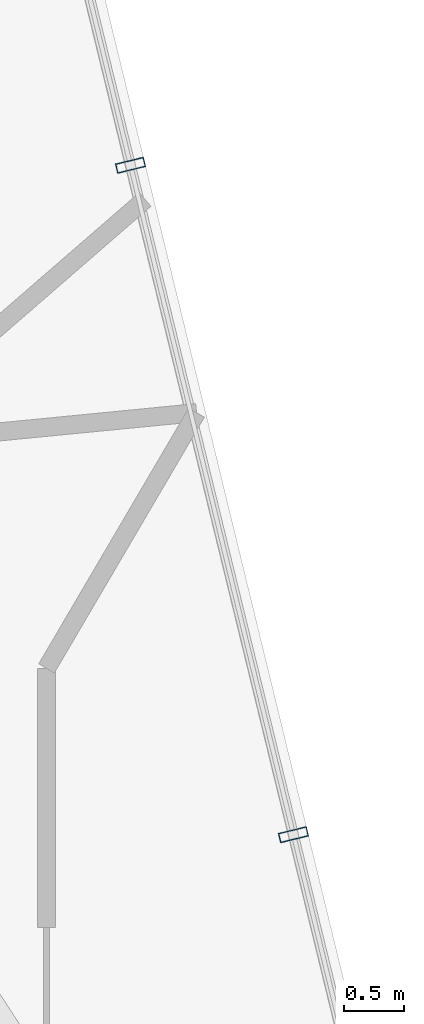
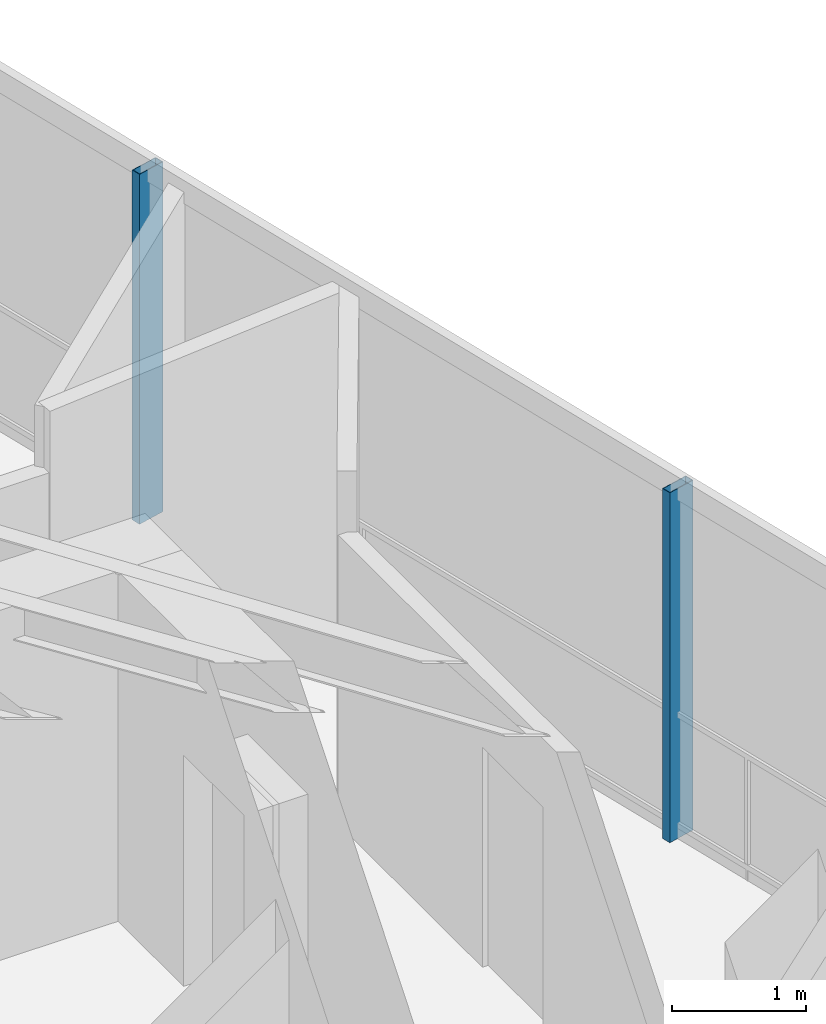
# One storey, part 12 of 19: 2 members, 1 element without a shape of its own.
"""IFC4 building model written with IfcOpenShell, lengths in metres."""

from ifc_helpers import new_model, si_unit, direction, frame, origin, origin_2d, place, context, subcontext, project, spatial, hollow_rectangle, extrude, material, layer, layer_set, material_profile, profile_set, type_object, element, aggregate, save


model = new_model("IFC4")

# Units and contexts
model_context = context("Model", 3, precision=1e-05, world=origin(), true_north=direction((0.0, 1.0)))
body_context = subcontext(model_context, "Body", "Model", "MODEL_VIEW")
ifc_project = project(units=[si_unit("LENGTHUNIT", "METRE"), si_unit("AREAUNIT", "SQUARE_METRE"), si_unit("VOLUMEUNIT", "CUBIC_METRE"), si_unit("PLANEANGLEUNIT", "RADIAN"), si_unit("MASSUNIT", "GRAM", prefix="KILO")], contexts=[model_context])

# Site, building, storey
site_placement = place(None, origin())
site = spatial("IfcSite", under=ifc_project, at=site_placement, CompositionType="ELEMENT")
building_placement = place(site_placement, origin())
building = spatial("IfcBuilding", under=site, at=building_placement, Name="Qarnah Convention Tower", CompositionType="ELEMENT")
storey_placement = place(building_placement, frame((0.0, 0.0, 231.89990234375)))
storey = spatial("IfcBuildingStorey", under=building, at=storey_placement, Name="L62", CompositionType="ELEMENT", Elevation=231.89990234375)

# Curtain wall, members
ifc_material_1 = material(Name="Tempered Low-E dark glass", Category="glass")
ifc_layer = layer(ifc_material_1, 0.176025390625)
ifc_layer_set = layer_set([ifc_layer], Name="Tempered Low-E dark glass")
curtain_wall_type = type_object("IfcCurtainWallType", Name="CWS-05", PredefinedType="NOTDEFINED", material=ifc_layer_set)
curtain_wall_placement = place(storey_placement, origin())
curtain_wall = element("IfcCurtainWall", 1, at=curtain_wall_placement, inside=storey, type_object=curtain_wall_type, Name="L62 unitised curtain wall CW-L62-F3", PredefinedType="NOTDEFINED")
ifc_material_2 = material(Name="Black anodised aluminium", Category="aluminium")
ifc_material_profile = material_profile(ifc_material_2, hollow_rectangle(XDim=0.080078125, YDim=0.239990234375, WallThickness=0.0048828125, at=origin_2d()), Name="MUL-80X240")
ifc_profile_set = profile_set([ifc_material_profile], Name="Black anodised aluminium")
member_type = type_object("IfcMemberType", Name="MUL-T5", PredefinedType="MULLION", material=ifc_profile_set)
member_1_placement = place(storey_placement, frame((50.146484375, 38.372802734375, 0.0), z_axis=(0.0, 0.0, 1.0), x_axis=(0.236494469189, -0.971632834996, 0.0)))
member_1 = element("IfcMember", 2, at=member_1_placement, type_object=member_type, Name="CW-L62-F3 mullion 2", PredefinedType="MULLION", context=body_context, shape_type="SweptSolid", body=[
    extrude(hollow_rectangle(XDim=0.080078125, YDim=0.239990234375, WallThickness=0.0048828125, at=origin_2d()), origin(), (0.0, 0.0, 1.0), 3.18017578125),
])
member_2_placement = place(storey_placement, frame((51.497802734375, 32.820556640625, 0.0), z_axis=(0.0, 0.0, 1.0), x_axis=(0.236494469189, -0.971632834996, 0.0)))
member_2 = element("IfcMember", 3, at=member_2_placement, type_object=member_type, Name="CW-L62-F3 mullion 3", PredefinedType="MULLION", context=body_context, shape_type="SweptSolid", body=[
    extrude(hollow_rectangle(XDim=0.080078125, YDim=0.239990234375, WallThickness=0.0048828125, at=origin_2d()), origin(), (0.0, 0.0, 1.0), 3.18017578125),
])
aggregate(curtain_wall, [member_1, member_2])

save(model, "model.ifc")
